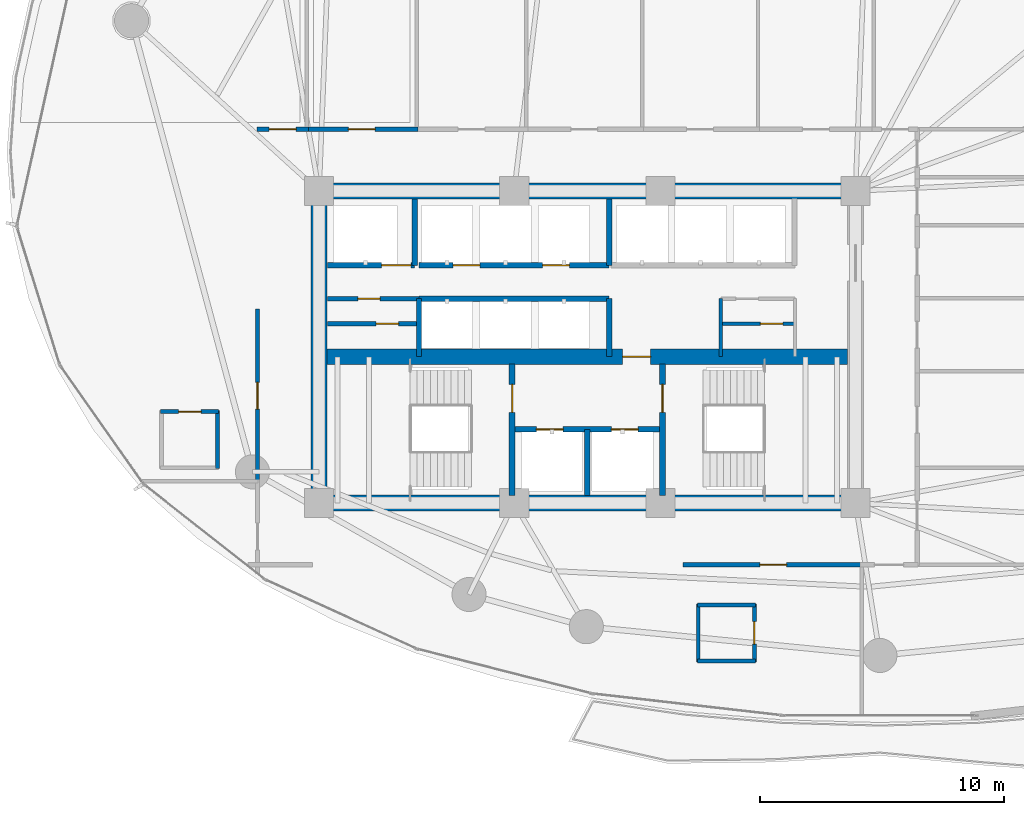
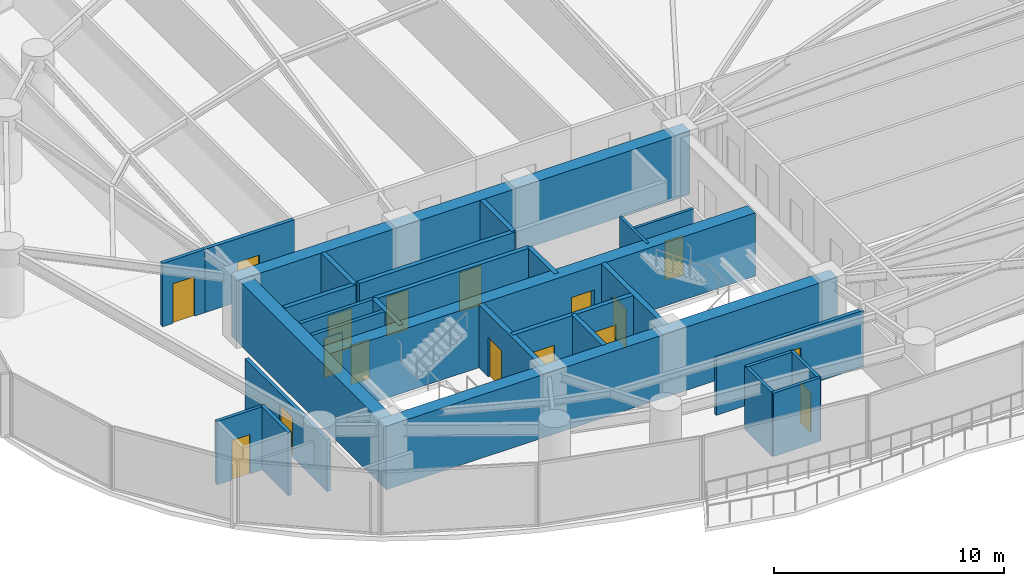
# One storey, part 26 of 33: 29 walls, 17 doors, 17 openings.
"""IFC4 building model written with IfcOpenShell, lengths in metres."""

from ifc_helpers import new_model, si_unit, direction, frame, frame_2d, origin, place, context, subcontext, project, spatial, rectangle, extrude, material, layer, layer_set, type_object, element, fill, save


model = new_model("IFC4")

# Units and contexts
model_context = context("Model", 3, precision=1e-05, world=origin(), true_north=direction((0.0, 1.0)))
body_context = subcontext(model_context, "Body", "Model", "MODEL_VIEW")
ifc_project = project(units=[si_unit("LENGTHUNIT", "METRE"), si_unit("AREAUNIT", "SQUARE_METRE"), si_unit("VOLUMEUNIT", "CUBIC_METRE"), si_unit("PLANEANGLEUNIT", "RADIAN"), si_unit("MASSUNIT", "GRAM", prefix="KILO")], contexts=[model_context])

# Site, building, storey
site_placement = place(None, origin())
site = spatial("IfcSite", under=ifc_project, at=site_placement, CompositionType="ELEMENT")
building_placement = place(site_placement, origin())
building = spatial("IfcBuilding", under=site, at=building_placement, Name="Kazevale Care Tower and Concert Hall", CompositionType="ELEMENT")
storey_placement = place(building_placement, frame((0.0, 0.0, 45.60009765625)))
storey = spatial("IfcBuildingStorey", under=building, at=storey_placement, Name="L11", CompositionType="ELEMENT", Elevation=45.60009765625)

# Wall
ifc_material_1 = material(Name="Acoustic Gypsum on Steel Stud", Category="steel")
ifc_layer_1 = layer(ifc_material_1, 0.139892578125)
ifc_layer_set_1 = layer_set([ifc_layer_1], Name="Acoustic Gypsum on Steel Stud")
wall_type_1 = type_object("IfcWallType", Name="Acoustic Care & Suite Partition 140", PredefinedType="PARTITIONING", material=ifc_layer_set_1)
wall_1_placement = place(storey_placement, frame((38.47998046875, 29.6201171875, 0.0), z_axis=(0.0, 0.0, 1.0), x_axis=(0.0, 1.0, 0.0)))
element("IfcWall", 1, at=wall_1_placement, inside=storey, type_object=wall_type_1, Name="wall:L11:kc_ew", PredefinedType="PARTITIONING", context=body_context, shape_type="SweptSolid", body=[
    extrude(rectangle(XDim=2.35986328125, YDim=0.139892578125, at=frame_2d((1.179931640625, 0.0))), origin(), (0.0, 0.0, 1.0), 3.35986328125),
])

# Wall, opening, door
wall_2_placement = place(storey_placement, frame((38.47998046875, 30.949951171875, 0.0), z_axis=(0.0, 0.0, 1.0), x_axis=(1.0, 0.0, 0.0)))
wall_2 = element("IfcWall", 2, at=wall_2_placement, inside=storey, type_object=wall_type_1, Name="wall:L11:kc_em", PredefinedType="PARTITIONING", context=body_context, shape_type="SweptSolid", body=[
    extrude(rectangle(XDim=3.0400390625, YDim=0.139892578125, at=frame_2d((1.52001953125, 0.0))), origin(), (0.0, 0.0, 1.0), 3.35986328125),
])
opening_1_placement = place(wall_2_placement, frame((1.616943359375, 0.0, 0.0)))
opening_1 = element("IfcOpeningElement", 3, at=opening_1_placement, cuts=wall_2, Name="Opening ID-900", PredefinedType="OPENING", context=body_context, shape_type="SweptSolid", body=[
    extrude(rectangle(XDim=0.919921875, YDim=2.10009765625, at=frame_2d((0.4599609375, 1.050048828125))), frame((0.0, 0.079833984375, 0.0), z_axis=(0.0, -1.0, 0.0), x_axis=(1.0, 0.0, 0.0)), (0.0, 0.0, 1.0), 0.159912109375),
])
ifc_material_2 = material(Name="Oak Timber Fire Leaf", Category="wood")
door_type_1 = type_object("IfcDoorType", Name="Bathroom & Service Door 920x2100", OperationType="NOTDEFINED", PredefinedType="DOOR", material=ifc_material_2)
door_1_placement = place(opening_1_placement, origin())
door_1 = element("IfcDoor", 4, at=door_1_placement, inside=storey, type_object=door_type_1, Name="door:L11:d_kceb", OperationType="SINGLE_SWING_RIGHT", OverallHeight=2.10009765625, OverallWidth=0.919921875, PredefinedType="DOOR", context=body_context, shape_type="SweptSolid", body=[
    extrude(rectangle(XDim=0.919921875, YDim=2.10009765625, at=frame_2d((0.4599609375, 1.050048828125))), frame((0.0, 0.02490234375, 0.0), z_axis=(0.0, -1.0, 0.0), x_axis=(1.0, 0.0, 0.0)), (0.0, 0.0, 1.0), 0.050048828125),
])
fill(opening_1, door_1)

# Walls
ifc_material_3 = material(Name="Concrete C70", Category="concrete")
ifc_layer_2 = layer(ifc_material_3, 0.64990234375)
ifc_layer_set_2 = layer_set([ifc_layer_2], Name="Concrete C70")
wall_type_2 = type_object("IfcWallType", Name="Core Shear Wall 650 C70", PredefinedType="SHEAR", material=ifc_layer_set_2)
for number, where, z_axis, x_axis, name in (
    (5, (21.675048828125, 23.60009765625, 0.0), (0.0, 0.0, 1.0), (1.0, 0.0, 0.0), "wall:L11:core:S"),
    (6, (21.675048828125, 36.39990234375, 0.0), (0.0, 0.0, 1.0), (1.0, 0.0, 0.0), "wall:L11:core:N"),
):
    element("IfcWall", number, at=place(storey_placement, frame(where, z_axis=z_axis, x_axis=x_axis)), inside=storey, type_object=wall_type_2, Name=name, PredefinedType="SHEAR", context=body_context, shape_type="SweptSolid", body=[
        extrude(rectangle(XDim=22.64990234375, YDim=0.64990234375, at=frame_2d((11.324951171875, 0.0))), origin(), (0.0, 0.0, 1.0), 3.35986328125),
    ])
wall_3_placement = place(storey_placement, frame((22.0, 23.925048828125, 0.0), z_axis=(0.0, 0.0, 1.0), x_axis=(0.0, 1.0, 0.0)))
element("IfcWall", 7, at=wall_3_placement, inside=storey, type_object=wall_type_2, Name="wall:L11:core:W", PredefinedType="SHEAR", context=body_context, shape_type="SweptSolid", body=[
    extrude(rectangle(XDim=12.14990234375, YDim=0.64990234375, at=frame_2d((6.074951171875, 0.0))), origin(), (0.0, 0.0, 1.0), 3.35986328125),
])

# Wall, opening, door
wall_4_placement = place(storey_placement, frame((22.324951171875, 29.60009765625, 0.0), z_axis=(0.0, 0.0, 1.0), x_axis=(1.0, 0.0, 0.0)))
wall_4 = element("IfcWall", 8, at=wall_4_placement, inside=storey, type_object=wall_type_2, Name="wall:L11:core:M", PredefinedType="SHEAR", context=body_context, shape_type="SweptSolid", body=[
    extrude(rectangle(XDim=21.35009765625, YDim=0.64990234375, at=frame_2d((10.675048828125, 0.0))), origin(), (0.0, 0.0, 1.0), 3.35986328125),
])
opening_2_placement = place(wall_4_placement, frame((12.125, 0.0, 0.0)))
opening_2 = element("IfcOpeningElement", 9, at=opening_2_placement, cuts=wall_4, Name="Opening FD-90", PredefinedType="OPENING", context=body_context, shape_type="SweptSolid", body=[
    extrude(rectangle(XDim=1.14990234375, YDim=2.10009765625, at=frame_2d((0.574951171875, 1.050048828125))), frame((0.0, 0.3349609375, 0.0), z_axis=(0.0, -1.0, 0.0), x_axis=(1.0, 0.0, 0.0)), (0.0, 0.0, 1.0), 0.669921875),
])
ifc_material_4 = material(Name="Steel ASTM A572 Gr 50", Category="steel")
door_type_2 = type_object("IfcDoorType", Name="Pressurized Stair & Lobby Fire Door 1150x2100", OperationType="NOTDEFINED", PredefinedType="DOOR", material=ifc_material_4)
door_2_placement = place(opening_2_placement, origin())
door_2 = element("IfcDoor", 10, at=door_2_placement, inside=storey, type_object=door_type_2, Name="door:L11:ff_to_pax", OperationType="SINGLE_SWING_LEFT", OverallHeight=2.10009765625, OverallWidth=1.14990234375, PredefinedType="DOOR", context=body_context, shape_type="SweptSolid", body=[
    extrude(rectangle(XDim=1.14990234375, YDim=2.10009765625, at=frame_2d((0.574951171875, 1.050048828125))), frame((0.0, 0.02490234375, 0.0), z_axis=(0.0, -1.0, 0.0), x_axis=(1.0, 0.0, 0.0)), (0.0, 0.0, 1.0), 0.050048828125),
])
fill(opening_2, door_2)

# Wall, openings, doors
ifc_material_5 = material(Name="Concrete C40", Category="concrete")
ifc_layer_3 = layer(ifc_material_5, 0.219970703125)
ifc_layer_set_3 = layer_set([ifc_layer_3], Name="Concrete C40")
wall_type_3 = type_object("IfcWallType", Name="Elevator Hoistway Shaft Wall 220", PredefinedType="SOLIDWALL", material=ifc_layer_set_3)
wall_5_placement = place(storey_placement, frame((29.919921875, 26.6201171875, 0.0), z_axis=(0.0, 0.0, 1.0), x_axis=(1.0, 0.0, 0.0)))
wall_5 = element("IfcWall", 11, at=wall_5_placement, inside=storey, type_object=wall_type_3, Name="wall:L11:c_ffl_n", PredefinedType="SOLIDWALL", context=body_context, shape_type="SweptSolid", body=[
    extrude(rectangle(XDim=6.16015625, YDim=0.219970703125, at=frame_2d((3.080078125, 0.0))), origin(), (0.0, 0.0, 1.0), 3.35986328125),
])
opening_3_placement = place(wall_5_placement, frame((0.989990234375, 0.0, 0.0)))
opening_3 = element("IfcOpeningElement", 12, at=opening_3_placement, cuts=wall_5, Name="Opening LD-FF", PredefinedType="OPENING", context=body_context, shape_type="SweptSolid", body=[
    extrude(rectangle(XDim=1.10009765625, YDim=2.10009765625, at=frame_2d((0.550048828125, 1.050048828125))), frame((0.0, 0.119873046875, 0.0), z_axis=(0.0, -1.0, 0.0), x_axis=(1.0, 0.0, 0.0)), (0.0, 0.0, 1.0), 0.239990234375),
])
opening_4_placement = place(wall_5_placement, frame((4.070068359375, 0.0, 0.0)))
opening_4 = element("IfcOpeningElement", 13, at=opening_4_placement, cuts=wall_5, Name="Opening LD-FF", PredefinedType="OPENING", context=body_context, shape_type="SweptSolid", body=[
    extrude(rectangle(XDim=1.10009765625, YDim=2.10009765625, at=frame_2d((0.550048828125, 1.050048828125))), frame((0.0, 0.119873046875, 0.0), z_axis=(0.0, -1.0, 0.0), x_axis=(1.0, 0.0, 0.0)), (0.0, 0.0, 1.0), 0.239990234375),
])
ifc_material_6 = material(Name="Stainless Steel 316", Category="steel")
door_type_3 = type_object("IfcDoorType", Name="Emergency Lift Sliding Landing Door 1100x2100", OperationType="NOTDEFINED", PredefinedType="DOOR", material=ifc_material_6)
door_3_placement = place(opening_3_placement, origin())
door_3 = element("IfcDoor", 14, at=door_3_placement, inside=storey, type_object=door_type_3, Name="door:L11:ld_ffl1", OperationType="SLIDING_TO_LEFT", OverallHeight=2.10009765625, OverallWidth=1.10009765625, PredefinedType="DOOR", context=body_context, shape_type="SweptSolid", body=[
    extrude(rectangle(XDim=1.10009765625, YDim=2.10009765625, at=frame_2d((0.550048828125, 1.050048828125))), frame((0.0, 0.02490234375, 0.0), z_axis=(0.0, -1.0, 0.0), x_axis=(1.0, 0.0, 0.0)), (0.0, 0.0, 1.0), 0.050048828125),
])
fill(opening_3, door_3)
door_4_placement = place(opening_4_placement, origin())
door_4 = element("IfcDoor", 15, at=door_4_placement, inside=storey, type_object=door_type_3, Name="door:L11:ld_ffl2", OperationType="SLIDING_TO_RIGHT", OverallHeight=2.10009765625, OverallWidth=1.10009765625, PredefinedType="DOOR", context=body_context, shape_type="SweptSolid", body=[
    extrude(rectangle(XDim=1.10009765625, YDim=2.10009765625, at=frame_2d((0.550048828125, 1.050048828125))), frame((0.0, 0.02490234375, 0.0), z_axis=(0.0, -1.0, 0.0), x_axis=(1.0, 0.0, 0.0)), (0.0, 0.0, 1.0), 0.050048828125),
])
fill(opening_4, door_4)

# Walls
wall_6_placement = place(storey_placement, frame((33.0, 23.89990234375, 0.0), z_axis=(0.0, 0.0, 1.0), x_axis=(0.0, 1.0, 0.0)))
element("IfcWall", 16, at=wall_6_placement, inside=storey, type_object=wall_type_3, Name="wall:L11:c_ffl_m", PredefinedType="SOLIDWALL", context=body_context, shape_type="SweptSolid", body=[
    extrude(rectangle(XDim=2.72021484375, YDim=0.219970703125, at=frame_2d((1.360107421875, 0.0))), origin(), (0.0, 0.0, 1.0), 3.35986328125),
])
wall_7_placement = place(storey_placement, frame((25.919921875, 33.35009765625, 0.0), z_axis=(0.0, 0.0, 1.0), x_axis=(0.0, 1.0, 0.0)))
element("IfcWall", 17, at=wall_7_placement, inside=storey, type_object=wall_type_3, Name="wall:L11:c_svl_e", PredefinedType="SOLIDWALL", context=body_context, shape_type="SweptSolid", body=[
    extrude(rectangle(XDim=2.72998046875, YDim=0.219970703125, at=frame_2d((1.364990234375, 0.0))), origin(), (0.0, 0.0, 1.0), 3.35986328125),
])

# Wall, opening, door
wall_8_placement = place(storey_placement, frame((22.35009765625, 33.35009765625, 0.0), z_axis=(0.0, 0.0, 1.0), x_axis=(1.0, 0.0, 0.0)))
wall_8 = element("IfcWall", 18, at=wall_8_placement, inside=storey, type_object=wall_type_3, Name="wall:L11:c_svl_s", PredefinedType="SOLIDWALL", context=body_context, shape_type="SweptSolid", body=[
    extrude(rectangle(XDim=3.56982421875, YDim=0.219970703125, at=frame_2d((1.784912109375, 0.0))), origin(), (0.0, 0.0, 1.0), 3.35986328125),
])
opening_5_placement = place(wall_8_placement, frame((2.212890625, 0.0, 0.0)))
opening_5 = element("IfcOpeningElement", 19, at=opening_5_placement, cuts=wall_8, Name="Opening LD-SV", PredefinedType="OPENING", context=body_context, shape_type="SweptSolid", body=[
    extrude(rectangle(XDim=1.199951171875, YDim=2.10009765625, at=frame_2d((0.60009765625, 1.050048828125))), frame((0.0, 0.119873046875, 0.0), z_axis=(0.0, -1.0, 0.0), x_axis=(1.0, 0.0, 0.0)), (0.0, 0.0, 1.0), 0.239990234375),
])
door_type_4 = type_object("IfcDoorType", Name="Service Lift Sliding Landing Door 1200x2100", OperationType="NOTDEFINED", PredefinedType="DOOR", material=ifc_material_6)
door_5_placement = place(opening_5_placement, origin())
door_5 = element("IfcDoor", 20, at=door_5_placement, inside=storey, type_object=door_type_4, Name="door:L11:ld_svl1", OperationType="SLIDING_TO_LEFT", OverallHeight=2.10009765625, OverallWidth=1.199951171875, PredefinedType="DOOR", context=body_context, shape_type="SweptSolid", body=[
    extrude(rectangle(XDim=1.199951171875, YDim=2.10009765625, at=frame_2d((0.60009765625, 1.050048828125))), frame((0.0, 0.02490234375, 0.0), z_axis=(0.0, -1.0, 0.0), x_axis=(1.0, 0.0, 0.0)), (0.0, 0.0, 1.0), 0.050048828125),
])
fill(opening_5, door_5)

# Walls
wall_9_placement = place(storey_placement, frame((26.10009765625, 29.6201171875, 0.0), z_axis=(0.0, 0.0, 1.0), x_axis=(0.0, 1.0, 0.0)))
element("IfcWall", 21, at=wall_9_placement, inside=storey, type_object=wall_type_3, Name="wall:L11:c_ph_w", PredefinedType="SOLIDWALL", context=body_context, shape_type="SweptSolid", body=[
    extrude(rectangle(XDim=2.35986328125, YDim=0.219970703125, at=frame_2d((1.179931640625, 0.0))), origin(), (0.0, 0.0, 1.0), 3.35986328125),
])
wall_10_placement = place(storey_placement, frame((26.10009765625, 31.97998046875, 0.0), z_axis=(0.0, 0.0, 1.0), x_axis=(1.0, 0.0, 0.0)))
element("IfcWall", 22, at=wall_10_placement, inside=storey, type_object=wall_type_3, Name="wall:L11:c_ph_n", PredefinedType="SOLIDWALL", context=body_context, shape_type="SweptSolid", body=[
    extrude(rectangle(XDim=7.7998046875, YDim=0.219970703125, at=frame_2d((3.89990234375, 0.0))), origin(), (0.0, 0.0, 1.0), 3.35986328125),
])
wall_11_placement = place(storey_placement, frame((33.89990234375, 29.6201171875, 0.0), z_axis=(0.0, 0.0, 1.0), x_axis=(0.0, 1.0, 0.0)))
element("IfcWall", 23, at=wall_11_placement, inside=storey, type_object=wall_type_3, Name="wall:L11:c_ph_e", PredefinedType="SOLIDWALL", context=body_context, shape_type="SweptSolid", body=[
    extrude(rectangle(XDim=2.35986328125, YDim=0.219970703125, at=frame_2d((1.179931640625, 0.0))), origin(), (0.0, 0.0, 1.0), 3.35986328125),
])

# Wall, openings, doors
wall_12_placement = place(storey_placement, frame((26.10009765625, 33.35009765625, 0.0), z_axis=(0.0, 0.0, 1.0), x_axis=(1.0, 0.0, 0.0)))
wall_12 = element("IfcWall", 24, at=wall_12_placement, inside=storey, type_object=wall_type_3, Name="wall:L11:c_pl_s", PredefinedType="SOLIDWALL", context=body_context, shape_type="SweptSolid", body=[
    extrude(rectangle(XDim=7.7998046875, YDim=0.219970703125, at=frame_2d((3.89990234375, 0.0))), origin(), (0.0, 0.0, 1.0), 3.35986328125),
])
opening_6_placement = place(wall_12_placement, frame((1.39990234375, 0.0, 0.0)))
opening_6 = element("IfcOpeningElement", 25, at=opening_6_placement, cuts=wall_12, Name="Opening LD-PAX", PredefinedType="OPENING", context=body_context, shape_type="SweptSolid", body=[
    extrude(rectangle(XDim=1.10009765625, YDim=2.10009765625, at=frame_2d((0.550048828125, 1.050048828125))), frame((0.0, 0.119873046875, 0.0), z_axis=(0.0, -1.0, 0.0), x_axis=(1.0, 0.0, 0.0)), (0.0, 0.0, 1.0), 0.239990234375),
])
opening_7_placement = place(wall_12_placement, frame((5.06591796875, 0.0, 0.0)))
opening_7 = element("IfcOpeningElement", 26, at=opening_7_placement, cuts=wall_12, Name="Opening LD-PAX", PredefinedType="OPENING", context=body_context, shape_type="SweptSolid", body=[
    extrude(rectangle(XDim=1.10009765625, YDim=2.10009765625, at=frame_2d((0.550048828125, 1.050048828125))), frame((0.0, 0.119873046875, 0.0), z_axis=(0.0, -1.0, 0.0), x_axis=(1.0, 0.0, 0.0)), (0.0, 0.0, 1.0), 0.239990234375),
])
door_type_5 = type_object("IfcDoorType", Name="Passenger Lift Sliding Landing Door 1100x2100", OperationType="NOTDEFINED", PredefinedType="DOOR", material=ifc_material_6)
door_6_placement = place(opening_6_placement, origin())
door_6 = element("IfcDoor", 27, at=door_6_placement, inside=storey, type_object=door_type_5, Name="door:L11:ld_pl1", OperationType="SLIDING_TO_LEFT", OverallHeight=2.10009765625, OverallWidth=1.10009765625, PredefinedType="DOOR", context=body_context, shape_type="SweptSolid", body=[
    extrude(rectangle(XDim=1.10009765625, YDim=2.10009765625, at=frame_2d((0.550048828125, 1.050048828125))), frame((0.0, 0.02490234375, 0.0), z_axis=(0.0, -1.0, 0.0), x_axis=(1.0, 0.0, 0.0)), (0.0, 0.0, 1.0), 0.050048828125),
])
fill(opening_6, door_6)
door_7_placement = place(opening_7_placement, origin())
door_7 = element("IfcDoor", 28, at=door_7_placement, inside=storey, type_object=door_type_5, Name="door:L11:ld_pl2", OperationType="SLIDING_TO_RIGHT", OverallHeight=2.10009765625, OverallWidth=1.10009765625, PredefinedType="DOOR", context=body_context, shape_type="SweptSolid", body=[
    extrude(rectangle(XDim=1.10009765625, YDim=2.10009765625, at=frame_2d((0.550048828125, 1.050048828125))), frame((0.0, 0.02490234375, 0.0), z_axis=(0.0, -1.0, 0.0), x_axis=(1.0, 0.0, 0.0)), (0.0, 0.0, 1.0), 0.050048828125),
])
fill(opening_7, door_7)

# Wall
wall_13_placement = place(storey_placement, frame((33.89990234375, 33.35009765625, 0.0), z_axis=(0.0, 0.0, 1.0), x_axis=(0.0, 1.0, 0.0)))
element("IfcWall", 29, at=wall_13_placement, inside=storey, type_object=wall_type_3, Name="wall:L11:c_pl_e", PredefinedType="SOLIDWALL", context=body_context, shape_type="SweptSolid", body=[
    extrude(rectangle(XDim=2.72998046875, YDim=0.219970703125, at=frame_2d((1.364990234375, 0.0))), origin(), (0.0, 0.0, 1.0), 3.35986328125),
])

# Wall, opening, door
ifc_material_7 = material(Name="Concrete C40 and Acoustic Gypsum", Category="concrete")
ifc_layer_4 = layer(ifc_material_7, 0.179931640625)
ifc_layer_set_4 = layer_set([ifc_layer_4], Name="Concrete C40 and Acoustic Gypsum")
wall_type_4 = type_object("IfcWallType", Name="Fire-Rated Corridor & Party Wall 180", PredefinedType="PARTITIONING", material=ifc_layer_set_4)
wall_14_placement = place(storey_placement, frame((22.35009765625, 30.949951171875, 0.0), z_axis=(0.0, 0.0, 1.0), x_axis=(1.0, 0.0, 0.0)))
wall_14 = element("IfcWall", 30, at=wall_14_placement, inside=storey, type_object=wall_type_4, Name="wall:L11:kc_wm", PredefinedType="PARTITIONING", context=body_context, shape_type="SweptSolid", body=[
    extrude(rectangle(XDim=3.75, YDim=0.179931640625, at=frame_2d((1.875, 0.0))), origin(), (0.0, 0.0, 1.0), 3.35986328125),
])
opening_8_placement = place(wall_14_placement, frame((1.988037109375, 0.0, 0.0)))
opening_8 = element("IfcOpeningElement", 31, at=opening_8_placement, cuts=wall_14, Name="Opening ID-900", PredefinedType="OPENING", context=body_context, shape_type="SweptSolid", body=[
    extrude(rectangle(XDim=0.919921875, YDim=2.10009765625, at=frame_2d((0.4599609375, 1.050048828125))), frame((0.0, 0.099853515625, 0.0), z_axis=(0.0, -1.0, 0.0), x_axis=(1.0, 0.0, 0.0)), (0.0, 0.0, 1.0), 0.199951171875),
])
door_8_placement = place(opening_8_placement, origin())
door_8 = element("IfcDoor", 32, at=door_8_placement, inside=storey, type_object=door_type_1, Name="door:L11:d_kcwb", OperationType="SINGLE_SWING_RIGHT", OverallHeight=2.10009765625, OverallWidth=0.919921875, PredefinedType="DOOR", context=body_context, shape_type="SweptSolid", body=[
    extrude(rectangle(XDim=0.919921875, YDim=2.10009765625, at=frame_2d((0.4599609375, 1.050048828125))), frame((0.0, 0.02490234375, 0.0), z_axis=(0.0, -1.0, 0.0), x_axis=(1.0, 0.0, 0.0)), (0.0, 0.0, 1.0), 0.050048828125),
])
fill(opening_8, door_8)

wall_15_placement = place(storey_placement, frame((22.35009765625, 31.97998046875, 0.0), z_axis=(0.0, 0.0, 1.0), x_axis=(1.0, 0.0, 0.0)))
wall_15 = element("IfcWall", 33, at=wall_15_placement, inside=storey, type_object=wall_type_4, Name="wall:L11:kc_wn", PredefinedType="PARTITIONING", context=body_context, shape_type="SweptSolid", body=[
    extrude(rectangle(XDim=3.75, YDim=0.179931640625, at=frame_2d((1.875, 0.0))), origin(), (0.0, 0.0, 1.0), 3.35986328125),
])
opening_9_placement = place(wall_15_placement, frame((1.238037109375, 0.0, 0.0)))
opening_9 = element("IfcOpeningElement", 34, at=opening_9_placement, cuts=wall_15, Name="Opening ID-900", PredefinedType="OPENING", context=body_context, shape_type="SweptSolid", body=[
    extrude(rectangle(XDim=0.919921875, YDim=2.10009765625, at=frame_2d((0.4599609375, 1.050048828125))), frame((0.0, 0.099853515625, 0.0), z_axis=(0.0, -1.0, 0.0), x_axis=(1.0, 0.0, 0.0)), (0.0, 0.0, 1.0), 0.199951171875),
])
door_9_placement = place(opening_9_placement, origin())
door_9 = element("IfcDoor", 35, at=door_9_placement, inside=storey, type_object=door_type_1, Name="door:L11:d_kcwt", OperationType="SINGLE_SWING_LEFT", OverallHeight=2.10009765625, OverallWidth=0.919921875, PredefinedType="DOOR", context=body_context, shape_type="SweptSolid", body=[
    extrude(rectangle(XDim=0.919921875, YDim=2.10009765625, at=frame_2d((0.4599609375, 1.050048828125))), frame((0.0, 0.02490234375, 0.0), z_axis=(0.0, -1.0, 0.0), x_axis=(1.0, 0.0, 0.0)), (0.0, 0.0, 1.0), 0.050048828125),
])
fill(opening_9, door_9)

wall_16_placement = place(storey_placement, frame((19.445068359375, 38.925048828125, 0.0), z_axis=(0.0, 0.0, 1.0), x_axis=(1.0, 0.0, 0.0)))
wall_16 = element("IfcWall", 36, at=wall_16_placement, inside=storey, type_object=wall_type_4, Name="wall:L11:auto_001", PredefinedType="PARTITIONING", context=body_context, shape_type="SweptSolid", body=[
    extrude(rectangle(XDim=2.119873046875, YDim=0.179931640625, at=frame_2d((1.06005859375, 0.0))), origin(), (0.0, 0.0, 1.0), 3.35986328125),
])
opening_10_placement = place(wall_16_placement, frame((0.510009765625, 0.0, 0.0)))
opening_10 = element("IfcOpeningElement", 37, at=opening_10_placement, cuts=wall_16, Name="Opening ID-1100", PredefinedType="OPENING", context=body_context, shape_type="SweptSolid", body=[
    extrude(rectangle(XDim=1.10009765625, YDim=2.10009765625, at=frame_2d((0.550048828125, 1.050048828125))), frame((0.0, 0.099853515625, 0.0), z_axis=(0.0, -1.0, 0.0), x_axis=(1.0, 0.0, 0.0)), (0.0, 0.0, 1.0), 0.199951171875),
])
door_type_6 = type_object("IfcDoorType", Name="Care Bedroom Accessible Door 1100x2100", OperationType="NOTDEFINED", PredefinedType="DOOR", material=ifc_material_2)
door_10_placement = place(opening_10_placement, origin())
door_10 = element("IfcDoor", 38, at=door_10_placement, inside=storey, type_object=door_type_6, Name="door:L11:ad_001", OperationType="SINGLE_SWING_LEFT", OverallHeight=2.10009765625, OverallWidth=1.10009765625, PredefinedType="DOOR", context=body_context, shape_type="SweptSolid", body=[
    extrude(rectangle(XDim=1.10009765625, YDim=2.10009765625, at=frame_2d((0.550048828125, 1.050048828125))), frame((0.0, 0.02490234375, 0.0), z_axis=(0.0, -1.0, 0.0), x_axis=(1.0, 0.0, 0.0)), (0.0, 0.0, 1.0), 0.050048828125),
])
fill(opening_10, door_10)

wall_17_placement = place(storey_placement, frame((21.43505859375, 38.925048828125, 0.0), z_axis=(0.0, 0.0, 1.0), x_axis=(1.0, 0.0, 0.0)))
wall_17 = element("IfcWall", 39, at=wall_17_placement, inside=storey, type_object=wall_type_4, Name="wall:L11:auto_002", PredefinedType="PARTITIONING", context=body_context, shape_type="SweptSolid", body=[
    extrude(rectangle(XDim=4.6298828125, YDim=0.179931640625, at=frame_2d((2.31494140625, 0.0))), origin(), (0.0, 0.0, 1.0), 3.35986328125),
])
opening_11_placement = place(wall_17_placement, frame((1.764892578125, 0.0, 0.0)))
opening_11 = element("IfcOpeningElement", 40, at=opening_11_placement, cuts=wall_17, Name="Opening ID-1100", PredefinedType="OPENING", context=body_context, shape_type="SweptSolid", body=[
    extrude(rectangle(XDim=1.10009765625, YDim=2.10009765625, at=frame_2d((0.550048828125, 1.050048828125))), frame((0.0, 0.099853515625, 0.0), z_axis=(0.0, -1.0, 0.0), x_axis=(1.0, 0.0, 0.0)), (0.0, 0.0, 1.0), 0.199951171875),
])
door_11_placement = place(opening_11_placement, origin())
door_11 = element("IfcDoor", 41, at=door_11_placement, inside=storey, type_object=door_type_6, Name="door:L11:ad_002", OperationType="SINGLE_SWING_LEFT", OverallHeight=2.10009765625, OverallWidth=1.10009765625, PredefinedType="DOOR", context=body_context, shape_type="SweptSolid", body=[
    extrude(rectangle(XDim=1.10009765625, YDim=2.10009765625, at=frame_2d((0.550048828125, 1.050048828125))), frame((0.0, 0.02490234375, 0.0), z_axis=(0.0, -1.0, 0.0), x_axis=(1.0, 0.0, 0.0)), (0.0, 0.0, 1.0), 0.050048828125),
])
fill(opening_11, door_11)

wall_18_placement = place(storey_placement, frame((44.31494140625, 21.074951171875, 0.0), z_axis=(0.0, 0.0, 1.0), x_axis=(-1.0, 0.0, 0.0)))
wall_18 = element("IfcWall", 42, at=wall_18_placement, inside=storey, type_object=wall_type_4, Name="wall:L11:auto_014", PredefinedType="PARTITIONING", context=body_context, shape_type="SweptSolid", body=[
    extrude(rectangle(XDim=7.3798828125, YDim=0.179931640625, at=frame_2d((3.68994140625, 0.0))), origin(), (0.0, 0.0, 1.0), 2.995849609375),
])
opening_12_placement = place(wall_18_placement, frame((3.139892578125, 0.0, 0.0)))
opening_12 = element("IfcOpeningElement", 43, at=opening_12_placement, cuts=wall_18, Name="Opening ID-1100", PredefinedType="OPENING", context=body_context, shape_type="SweptSolid", body=[
    extrude(rectangle(XDim=1.10009765625, YDim=2.10009765625, at=frame_2d((0.550048828125, 1.050048828125))), frame((0.0, 0.099853515625, 0.0), z_axis=(0.0, -1.0, 0.0), x_axis=(1.0, 0.0, 0.0)), (0.0, 0.0, 1.0), 0.199951171875),
])
door_12_placement = place(opening_12_placement, origin())
door_12 = element("IfcDoor", 44, at=door_12_placement, inside=storey, type_object=door_type_6, Name="door:L11:ad_014", OperationType="SINGLE_SWING_LEFT", OverallHeight=2.10009765625, OverallWidth=1.10009765625, PredefinedType="DOOR", context=body_context, shape_type="SweptSolid", body=[
    extrude(rectangle(XDim=1.10009765625, YDim=2.10009765625, at=frame_2d((0.550048828125, 1.050048828125))), frame((0.0, 0.02490234375, 0.0), z_axis=(0.0, -1.0, 0.0), x_axis=(1.0, 0.0, 0.0)), (0.0, 0.0, 1.0), 0.050048828125),
])
fill(opening_12, door_12)

wall_19_placement = place(storey_placement, frame((19.47509765625, 24.43505859375, 0.0), z_axis=(0.0, 0.0, 1.0), x_axis=(0.0, 1.0, 0.0)))
wall_19 = element("IfcWall", 45, at=wall_19_placement, inside=storey, type_object=wall_type_4, Name="wall:L11:auto_018", PredefinedType="PARTITIONING", context=body_context, shape_type="SweptSolid", body=[
    extrude(rectangle(XDim=7.1298828125, YDim=0.179931640625, at=frame_2d((3.56494140625, 0.0))), origin(), (0.0, 0.0, 1.0), 2.73779296875),
])
opening_13_placement = place(wall_19_placement, frame((3.014892578125, 0.0, 0.0)))
opening_13 = element("IfcOpeningElement", 46, at=opening_13_placement, cuts=wall_19, Name="Opening ID-1100", PredefinedType="OPENING", context=body_context, shape_type="SweptSolid", body=[
    extrude(rectangle(XDim=1.10009765625, YDim=2.10009765625, at=frame_2d((0.550048828125, 1.050048828125))), frame((0.0, 0.099853515625, 0.0), z_axis=(0.0, -1.0, 0.0), x_axis=(1.0, 0.0, 0.0)), (0.0, 0.0, 1.0), 0.199951171875),
])
door_13_placement = place(opening_13_placement, origin())
door_13 = element("IfcDoor", 47, at=door_13_placement, inside=storey, type_object=door_type_6, Name="door:L11:ad_018", OperationType="SINGLE_SWING_LEFT", OverallHeight=2.10009765625, OverallWidth=1.10009765625, PredefinedType="DOOR", context=body_context, shape_type="SweptSolid", body=[
    extrude(rectangle(XDim=1.10009765625, YDim=2.10009765625, at=frame_2d((0.550048828125, 1.050048828125))), frame((0.0, 0.02490234375, 0.0), z_axis=(0.0, -1.0, 0.0), x_axis=(1.0, 0.0, 0.0)), (0.0, 0.0, 1.0), 0.050048828125),
])
fill(opening_13, door_13)

# Walls
ifc_layer_5 = layer(ifc_material_1, 0.159912109375)
ifc_layer_set_5 = layer_set([ifc_layer_5], Name="Acoustic Gypsum on Steel Stud")
wall_type_5 = type_object("IfcWallType", Name="Moisture-Resistant Bathroom Plumbing Wall 160", PredefinedType="PLUMBINGWALL", material=ifc_layer_set_5)
for number, where, z_axis, x_axis, name in (
    (48, (37.510009765625, 17.115966796875, 0.0), (0.0, 0.0, 1.0), (1.0, 0.0, 0.0), "wall:L11:sb2a_ens_ws"),
    (49, (37.510009765625, 19.416015625, 0.0), (0.0, 0.0, 1.0), (1.0, 0.0, 0.0), "wall:L11:sb2a_ens_wn"),
):
    element("IfcWall", number, at=place(storey_placement, frame(where, z_axis=z_axis, x_axis=x_axis)), inside=storey, type_object=wall_type_5, Name=name, PredefinedType="PLUMBINGWALL", context=body_context, shape_type="SweptSolid", body=[
        extrude(rectangle(XDim=2.3798828125, YDim=0.159912109375, at=frame_2d((1.18994140625, 0.0))), origin(), (0.0, 0.0, 1.0), 3.35986328125),
    ])
wall_20_placement = place(storey_placement, frame((37.550048828125, 17.075927734375, 0.0), z_axis=(0.0, 0.0, 1.0), x_axis=(0.0, 1.0, 0.0)))
element("IfcWall", 50, at=wall_20_placement, inside=storey, type_object=wall_type_5, Name="wall:L11:sb2a_ens_ww", PredefinedType="PLUMBINGWALL", context=body_context, shape_type="SweptSolid", body=[
    extrude(rectangle(XDim=2.380126953125, YDim=0.159912109375, at=frame_2d((1.18994140625, 0.0))), origin(), (0.0, 0.0, 1.0), 3.35986328125),
])

# Wall, opening, door
wall_21_placement = place(storey_placement, frame((39.85009765625, 17.075927734375, 0.0), z_axis=(0.0, 0.0, 1.0), x_axis=(0.0, 1.0, 0.0)))
wall_21 = element("IfcWall", 51, at=wall_21_placement, inside=storey, type_object=wall_type_5, Name="wall:L11:sb2a_ens_we", PredefinedType="PLUMBINGWALL", context=body_context, shape_type="SweptSolid", body=[
    extrude(rectangle(XDim=2.380126953125, YDim=0.159912109375, at=frame_2d((1.18994140625, 0.0))), origin(), (0.0, 0.0, 1.0), 3.35986328125),
])
opening_14_placement = place(wall_21_placement, frame((0.739990234375, 0.0, 0.0)))
opening_14 = element("IfcOpeningElement", 52, at=opening_14_placement, cuts=wall_21, Name="Opening ID-900", PredefinedType="OPENING", context=body_context, shape_type="SweptSolid", body=[
    extrude(rectangle(XDim=0.919921875, YDim=2.10009765625, at=frame_2d((0.4599609375, 1.050048828125))), frame((0.0, 0.08984375, 0.0), z_axis=(0.0, -1.0, 0.0), x_axis=(1.0, 0.0, 0.0)), (0.0, 0.0, 1.0), 0.179931640625),
])
door_14_placement = place(opening_14_placement, origin())
door_14 = element("IfcDoor", 53, at=door_14_placement, inside=storey, type_object=door_type_1, Name="door:L11:sb2a_ens_d", OperationType="SINGLE_SWING_LEFT", OverallHeight=2.10009765625, OverallWidth=0.919921875, PredefinedType="DOOR", context=body_context, shape_type="SweptSolid", body=[
    extrude(rectangle(XDim=0.919921875, YDim=2.10009765625, at=frame_2d((0.4599609375, 1.050048828125))), frame((0.0, 0.02490234375, 0.0), z_axis=(0.0, -1.0, 0.0), x_axis=(1.0, 0.0, 0.0)), (0.0, 0.0, 1.0), 0.050048828125),
])
fill(opening_14, door_14)

wall_22_placement = place(storey_placement, frame((15.5, 27.35009765625, 0.0), z_axis=(0.0, 0.0, 1.0), x_axis=(1.0, 0.0, 0.0)))
wall_22 = element("IfcWall", 54, at=wall_22_placement, inside=storey, type_object=wall_type_5, Name="wall:L11:wb2_ens_wn", PredefinedType="PLUMBINGWALL", context=body_context, shape_type="SweptSolid", body=[
    extrude(rectangle(XDim=2.3798828125, YDim=0.159912109375, at=frame_2d((1.18994140625, 0.0))), origin(), (0.0, 0.0, 1.0), 3.35986328125),
])
opening_15_placement = place(wall_22_placement, frame((0.739990234375, 0.0, 0.0)))
opening_15 = element("IfcOpeningElement", 55, at=opening_15_placement, cuts=wall_22, Name="Opening ID-900", PredefinedType="OPENING", context=body_context, shape_type="SweptSolid", body=[
    extrude(rectangle(XDim=0.919921875, YDim=2.10009765625, at=frame_2d((0.4599609375, 1.050048828125))), frame((0.0, 0.08984375, 0.0), z_axis=(0.0, -1.0, 0.0), x_axis=(1.0, 0.0, 0.0)), (0.0, 0.0, 1.0), 0.179931640625),
])
door_15_placement = place(opening_15_placement, origin())
door_15 = element("IfcDoor", 56, at=door_15_placement, inside=storey, type_object=door_type_1, Name="door:L11:wb2_ens_d", OperationType="SINGLE_SWING_LEFT", OverallHeight=2.10009765625, OverallWidth=0.919921875, PredefinedType="DOOR", context=body_context, shape_type="SweptSolid", body=[
    extrude(rectangle(XDim=0.919921875, YDim=2.10009765625, at=frame_2d((0.4599609375, 1.050048828125))), frame((0.0, 0.02490234375, 0.0), z_axis=(0.0, -1.0, 0.0), x_axis=(1.0, 0.0, 0.0)), (0.0, 0.0, 1.0), 0.050048828125),
])
fill(opening_15, door_15)

# Wall
wall_23_placement = place(storey_placement, frame((17.840087890625, 25.010009765625, 0.0), z_axis=(0.0, 0.0, 1.0), x_axis=(0.0, 1.0, 0.0)))
element("IfcWall", 57, at=wall_23_placement, inside=storey, type_object=wall_type_5, Name="wall:L11:wb2_ens_we", PredefinedType="PLUMBINGWALL", context=body_context, shape_type="SweptSolid", body=[
    extrude(rectangle(XDim=2.3798828125, YDim=0.159912109375, at=frame_2d((1.18994140625, 0.0))), origin(), (0.0, 0.0, 1.0), 3.35986328125),
])

# Wall, opening, door
ifc_layer_6 = layer(ifc_material_5, 0.25)
ifc_layer_set_6 = layer_set([ifc_layer_6], Name="Concrete C40")
wall_type_6 = type_object("IfcWallType", Name="Pressurized Stair Shaft Wall 250", PredefinedType="SOLIDWALL", material=ifc_layer_set_6)
wall_24_placement = place(storey_placement, frame((29.919921875, 23.89990234375, 0.0), z_axis=(0.0, 0.0, 1.0), x_axis=(0.0, 1.0, 0.0)))
wall_24 = element("IfcWall", 58, at=wall_24_placement, inside=storey, type_object=wall_type_6, Name="wall:L11:c_st1_e", PredefinedType="SOLIDWALL", context=body_context, shape_type="SweptSolid", body=[
    extrude(rectangle(XDim=5.400146484375, YDim=0.25, at=frame_2d((2.7001953125, 0.0))), origin(), (0.0, 0.0, 1.0), 3.35986328125),
])
opening_16_placement = place(wall_24_placement, frame((3.4208984375, 0.0, 0.0)))
opening_16 = element("IfcOpeningElement", 59, at=opening_16_placement, cuts=wall_24, Name="Opening FD-90", PredefinedType="OPENING", context=body_context, shape_type="SweptSolid", body=[
    extrude(rectangle(XDim=1.14990234375, YDim=2.10009765625, at=frame_2d((0.574951171875, 1.050048828125))), frame((0.0, 0.135009765625, 0.0), z_axis=(0.0, -1.0, 0.0), x_axis=(1.0, 0.0, 0.0)), (0.0, 0.0, 1.0), 0.27001953125),
])
door_16_placement = place(opening_16_placement, origin())
door_16 = element("IfcDoor", 60, at=door_16_placement, inside=storey, type_object=door_type_2, Name="door:L11:st1", OperationType="SINGLE_SWING_RIGHT", OverallHeight=2.10009765625, OverallWidth=1.14990234375, PredefinedType="DOOR", context=body_context, shape_type="SweptSolid", body=[
    extrude(rectangle(XDim=1.14990234375, YDim=2.10009765625, at=frame_2d((0.574951171875, 1.050048828125))), frame((0.0, 0.02490234375, 0.0), z_axis=(0.0, -1.0, 0.0), x_axis=(1.0, 0.0, 0.0)), (0.0, 0.0, 1.0), 0.050048828125),
])
fill(opening_16, door_16)

wall_25_placement = place(storey_placement, frame((36.080078125, 23.89990234375, 0.0), z_axis=(0.0, 0.0, 1.0), x_axis=(0.0, 1.0, 0.0)))
wall_25 = element("IfcWall", 61, at=wall_25_placement, inside=storey, type_object=wall_type_6, Name="wall:L11:c_st2_w", PredefinedType="SOLIDWALL", context=body_context, shape_type="SweptSolid", body=[
    extrude(rectangle(XDim=5.400146484375, YDim=0.25, at=frame_2d((2.7001953125, 0.0))), origin(), (0.0, 0.0, 1.0), 3.35986328125),
])
opening_17_placement = place(wall_25_placement, frame((3.4208984375, 0.0, 0.0)))
opening_17 = element("IfcOpeningElement", 62, at=opening_17_placement, cuts=wall_25, Name="Opening FD-90", PredefinedType="OPENING", context=body_context, shape_type="SweptSolid", body=[
    extrude(rectangle(XDim=1.14990234375, YDim=2.10009765625, at=frame_2d((0.574951171875, 1.050048828125))), frame((0.0, 0.135009765625, 0.0), z_axis=(0.0, -1.0, 0.0), x_axis=(1.0, 0.0, 0.0)), (0.0, 0.0, 1.0), 0.27001953125),
])
door_17_placement = place(opening_17_placement, origin())
door_17 = element("IfcDoor", 63, at=door_17_placement, inside=storey, type_object=door_type_2, Name="door:L11:st2", OperationType="SINGLE_SWING_LEFT", OverallHeight=2.10009765625, OverallWidth=1.14990234375, PredefinedType="DOOR", context=body_context, shape_type="SweptSolid", body=[
    extrude(rectangle(XDim=1.14990234375, YDim=2.10009765625, at=frame_2d((0.574951171875, 1.050048828125))), frame((0.0, 0.02490234375, 0.0), z_axis=(0.0, -1.0, 0.0), x_axis=(1.0, 0.0, 0.0)), (0.0, 0.0, 1.0), 0.050048828125),
])
fill(opening_17, door_17)

save(model, "model.ifc")
